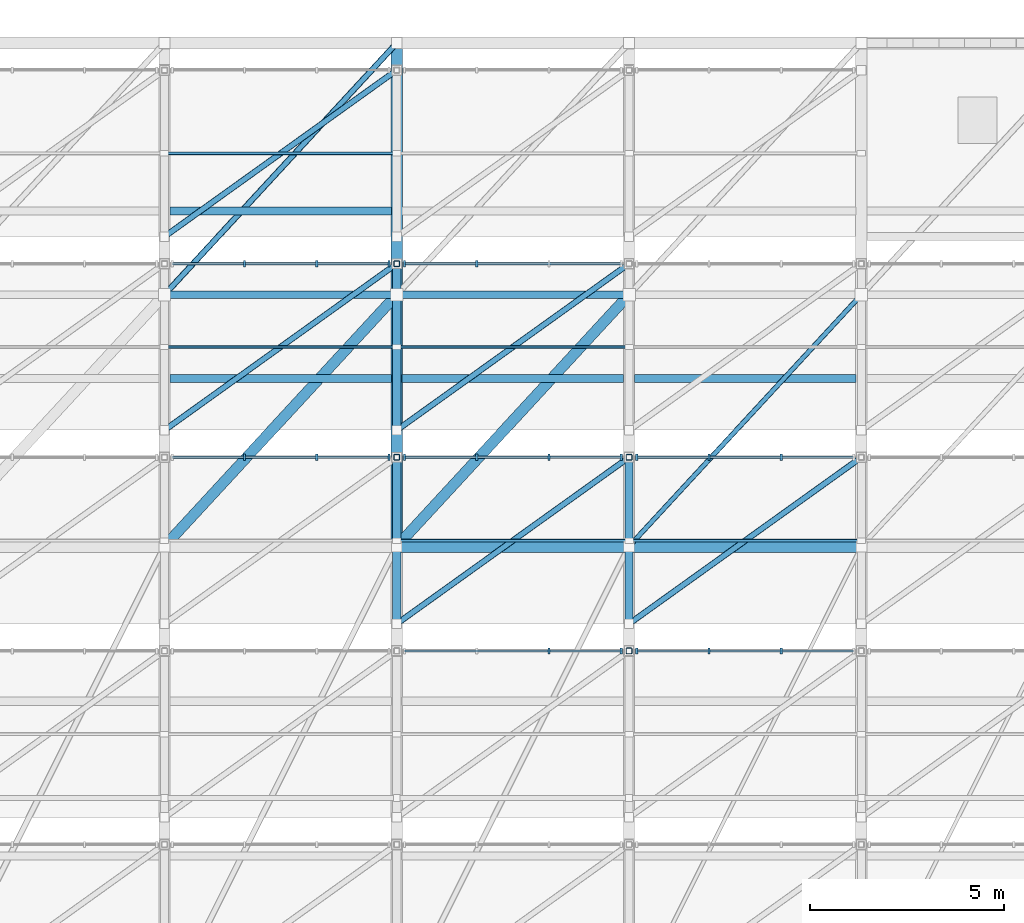
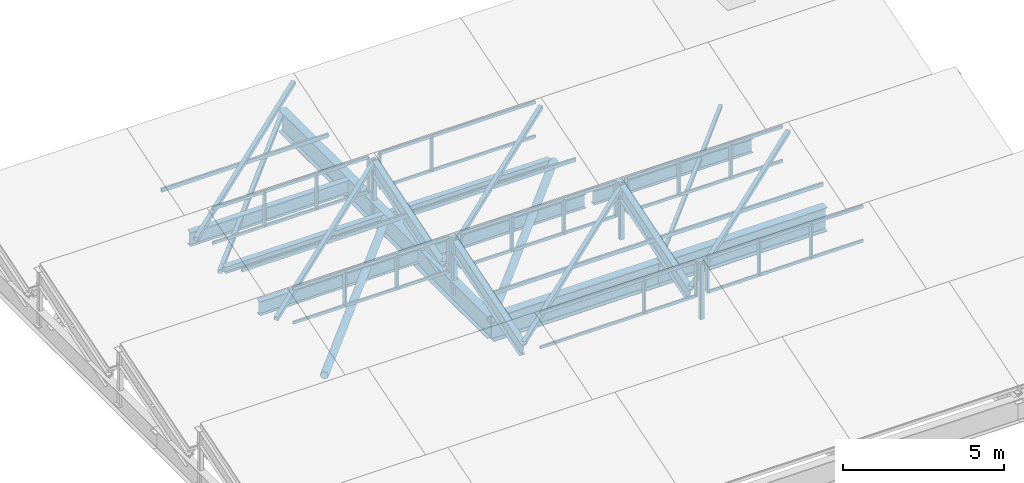
# One storey, part 14 of 48: 52 members, 12 beams, 7 elements without a shape of their own.
"""IFC4 building model written with IfcOpenShell, lengths in metres."""

from ifc_helpers import new_model, si_unit, direction, frame, origin, origin_2d, place, context, subcontext, project, spatial, rectangle, hollow_rectangle, hollow_circle, i_section, extrude, material, layer, layer_set, material_profile, profile_set, type_object, element, aggregate, save


model = new_model("IFC4")

# Units and contexts
model_context = context("Model", 3, precision=1e-05, world=origin(), true_north=direction((0.0, 1.0)))
body_context = subcontext(model_context, "Body", "Model", "MODEL_VIEW")
ifc_project = project(units=[si_unit("LENGTHUNIT", "METRE"), si_unit("AREAUNIT", "SQUARE_METRE"), si_unit("VOLUMEUNIT", "CUBIC_METRE"), si_unit("PLANEANGLEUNIT", "RADIAN"), si_unit("MASSUNIT", "GRAM", prefix="KILO")], contexts=[model_context])

# Site, building, storey
site_placement = place(None, origin())
site = spatial("IfcSite", under=ifc_project, at=site_placement, CompositionType="ELEMENT")
building_placement = place(site_placement, origin())
building = spatial("IfcBuilding", under=site, at=building_placement, Name="Trellovar Central Fire Station", CompositionType="ELEMENT")
storey_placement = place(building_placement, frame((0.0, 0.0, 9.300048828125)))
storey = spatial("IfcBuildingStorey", under=building, at=storey_placement, Name="L03", CompositionType="ELEMENT", Elevation=9.300048828125)

# Beams
ifc_material_1 = material(Name="Steel ASTM A992 Grade 50", Category="steel")
ifc_material_profile_1 = material_profile(ifc_material_1, i_section(OverallWidth=0.3046875, OverallDepth=0.911865234375, WebThickness=0.015869140625, FlangeThickness=0.02392578125, FilletRadius=0.024169921875, at=origin_2d()), Name="W36X150")
ifc_profile_set_1 = profile_set([ifc_material_profile_1], Name="Steel ASTM A992 Grade 50")
beam_type_1 = type_object("IfcBeamType", Name="BM-SW1", PredefinedType="BEAM", material=ifc_profile_set_1)
for number, where, z_axis, x_axis, name in (
    (1, (117.5, 60.0, -0.635986328125), (1.0, 0.0, 0.0), (0.0, 1.0, 0.0), "L03 beam SB-1"),
    (2, (123.5, 60.0, -0.635986328125), (1.0, 0.0, 0.0), (0.0, 1.0, 0.0), "L03 beam SB-1"),
):
    element("IfcBeam", number, at=place(storey_placement, frame(where, z_axis=z_axis, x_axis=x_axis)), inside=storey, type_object=beam_type_1, Name=name, PredefinedType="BEAM", context=body_context, shape_type="SweptSolid", body=[
        extrude(i_section(OverallWidth=0.3046875, OverallDepth=0.911865234375, WebThickness=0.015869140625, FlangeThickness=0.02392578125, FilletRadius=0.024169921875, at=origin_2d()), origin(), (0.0, 0.0, 1.0), 6.0),
    ])
ifc_material_2 = material(Name="Steel ASTM A992 Grade 50", Category="steel")
ifc_material_profile_2 = material_profile(ifc_material_2, i_section(OverallWidth=0.202880859375, OverallDepth=0.251953125, WebThickness=0.008056640625, FlangeThickness=0.013427734375, FilletRadius=0.0126953125, at=origin_2d()), Name="W10X39")
ifc_profile_set_2 = profile_set([ifc_material_profile_2], Name="Steel ASTM A992 Grade 50")
beam_type_2 = type_object("IfcBeamType", Name="BM-SW13", PredefinedType="SPANDREL", material=ifc_profile_set_2)
for number, where, z_axis, x_axis, name in (
    (3, (111.64599609375, 66.5, -0.30615234375), (1.0, 0.0, 0.0), (0.0, 1.0, 0.0), "V6 roof spine spandrel"),
    (4, (117.64599609375, 66.5, -0.30615234375), (1.0, 0.0, 0.0), (0.0, 1.0, 0.0), "V6 roof spine spandrel"),
):
    element("IfcBeam", number, at=place(storey_placement, frame(where, z_axis=z_axis, x_axis=x_axis)), inside=storey, type_object=beam_type_2, Name=name, PredefinedType="SPANDREL", context=body_context, shape_type="SweptSolid", body=[
        extrude(i_section(OverallWidth=0.202880859375, OverallDepth=0.251953125, WebThickness=0.008056640625, FlangeThickness=0.013427734375, FilletRadius=0.0126953125, at=origin_2d()), origin(), (0.0, 0.0, 1.0), 5.7080078125),
    ])
ifc_material_3 = material(Name="Steel ASTM A992 Grade 50", Category="steel")
ifc_material_profile_3 = material_profile(ifc_material_3, i_section(OverallWidth=0.2919921875, OverallDepth=0.8408203125, WebThickness=0.0146484375, FlangeThickness=0.021728515625, FilletRadius=0.020263671875, at=origin_2d()), Name="W33X130")
ifc_profile_set_3 = profile_set([ifc_material_profile_3], Name="Steel ASTM A992 Grade 50")
beam_type_3 = type_object("IfcBeamType", Name="BM-SW2", PredefinedType="BEAM", material=ifc_profile_set_3)
beam_placement = place(storey_placement, frame((117.5, 60.0, -0.600341796875), z_axis=(0.0, 1.0, 0.0), x_axis=(-1.0, 0.0, 0.0)))
element("IfcBeam", 5, at=beam_placement, inside=storey, type_object=beam_type_3, Name="L03 beam SB-2", PredefinedType="BEAM", context=body_context, shape_type="SweptSolid", body=[
    extrude(i_section(OverallWidth=0.2919921875, OverallDepth=0.8408203125, WebThickness=0.0146484375, FlangeThickness=0.021728515625, FilletRadius=0.020263671875, at=origin_2d()), origin(), (0.0, 0.0, 1.0), 13.0),
])
ifc_material_4 = material(Name="Steel ASTM A992 Grade 50", Category="steel")
ifc_material_profile_4 = material_profile(ifc_material_4, i_section(OverallWidth=0.209228515625, OverallDepth=0.533447265625, WebThickness=0.01025390625, FlangeThickness=0.015625, FilletRadius=0.013916015625, at=origin_2d()), Name="W21X62")
ifc_profile_set_4 = profile_set([ifc_material_profile_4], Name="Steel ASTM A992 Grade 50")
beam_type_4 = type_object("IfcBeamType", Name="BM-SW7", PredefinedType="BEAM", material=ifc_profile_set_4)
for number, where, z_axis, x_axis, name in (
    (6, (111.64111328125, 64.333251953125, -0.44677734375), (1.0, 0.0, 0.0), (0.0, 1.0, 0.0), "L03 beam SB-7"),
    (7, (111.64111328125, 68.666748046875, -0.44677734375), (1.0, 0.0, 0.0), (0.0, 1.0, 0.0), "L03 beam SB-7"),
    (8, (117.64111328125, 64.333251953125, -0.44677734375), (1.0, 0.0, 0.0), (0.0, 1.0, 0.0), "L03 beam SB-7"),
    (9, (123.64111328125, 64.333251953125, -0.44677734375), (1.0, 0.0, 0.0), (0.0, 1.0, 0.0), "L03 beam SB-7"),
):
    element("IfcBeam", number, at=place(storey_placement, frame(where, z_axis=z_axis, x_axis=x_axis)), inside=storey, type_object=beam_type_4, Name=name, PredefinedType="BEAM", context=body_context, shape_type="SweptSolid", body=[
        extrude(i_section(OverallWidth=0.209228515625, OverallDepth=0.533447265625, WebThickness=0.01025390625, FlangeThickness=0.015625, FilletRadius=0.013916015625, at=origin_2d()), origin(), (0.0, 0.0, 1.0), 5.7177734375),
    ])
for number, where, z_axis, x_axis, name in (
    (10, (117.5, 58.0, -0.266845703125), (0.0, 0.954079117135, 0.299554733308), (-1.0, 0.0, 0.0), "Sawtooth steel rafter"),
    (11, (123.5, 58.0, -0.266845703125), (0.0, 0.954079117135, 0.299554733308), (-1.0, 0.0, 0.0), "Sawtooth steel rafter"),
    (12, (117.5, 63.0, -0.266845703125), (0.0, 0.954079117135, 0.299554733308), (-1.0, 0.0, 0.0), "Sawtooth steel rafter"),
):
    element("IfcBeam", number, at=place(storey_placement, frame(where, z_axis=z_axis, x_axis=x_axis)), inside=storey, type_object=beam_type_4, Name=name, PredefinedType="BEAM", context=body_context, shape_type="SweptSolid", body=[
        extrude(i_section(OverallWidth=0.209228515625, OverallDepth=0.533447265625, WebThickness=0.01025390625, FlangeThickness=0.015625, FilletRadius=0.013916015625, at=origin_2d()), origin(), (0.0, 0.0, 1.0), 4.507080078125),
    ])

# Curtain wall, members
ifc_material_5 = material(Name="Thermally broken bronze anodized aluminum", Category="aluminium")
ifc_layer = layer(ifc_material_5, 0.159912109375)
ifc_layer_set = layer_set([ifc_layer], Name="Thermally broken bronze anodized aluminum")
curtain_wall_type = type_object("IfcCurtainWallType", Name="CW-06", PredefinedType="NOTDEFINED", material=ifc_layer_set)
curtain_wall_1_placement = place(storey_placement, origin())
curtain_wall_1 = element("IfcCurtainWall", 13, at=curtain_wall_1_placement, inside=storey, type_object=curtain_wall_type, Name="V6 sawtooth north-light monitor 3-2", PredefinedType="NOTDEFINED")
ifc_material_6 = material(Name="Thermally broken bronze anodized aluminum", Category="aluminium")
ifc_material_profile_5 = material_profile(ifc_material_6, rectangle(XDim=0.06005859375, YDim=0.159912109375, at=origin_2d()), Name="ALU60X160")
ifc_profile_set_5 = profile_set([ifc_material_profile_5], Name="Thermally broken bronze anodized aluminum")
member_type_1 = type_object("IfcMemberType", Name="CWM-3", PredefinedType="MULLION", material=ifc_profile_set_5)
member_1_placement = place(storey_placement, frame((117.300048828125, 62.300048828125, 0.179931640625), z_axis=(0.0, 0.0, 1.0), x_axis=(1.0, 0.0, 0.0)))
member_1 = element("IfcMember", 14, at=member_1_placement, type_object=member_type_1, Name="CW3-L03-0117 mullion 1", PredefinedType="MULLION", context=body_context, shape_type="SweptSolid", body=[
    extrude(rectangle(XDim=0.06005859375, YDim=0.159912109375, at=origin_2d()), origin(), (0.0, 0.0, 1.0), 1.300048828125),
])
member_2_placement = place(storey_placement, frame((115.433349609375, 62.300048828125, 0.179931640625), z_axis=(0.0, 0.0, 1.0), x_axis=(1.0, 0.0, 0.0)))
member_2 = element("IfcMember", 15, at=member_2_placement, type_object=member_type_1, Name="CW3-L03-0117 mullion 2", PredefinedType="MULLION", context=body_context, shape_type="SweptSolid", body=[
    extrude(rectangle(XDim=0.06005859375, YDim=0.159912109375, at=origin_2d()), origin(), (0.0, 0.0, 1.0), 1.300048828125),
])
member_3_placement = place(storey_placement, frame((113.566650390625, 62.300048828125, 0.179931640625), z_axis=(0.0, 0.0, 1.0), x_axis=(1.0, 0.0, 0.0)))
member_3 = element("IfcMember", 16, at=member_3_placement, type_object=member_type_1, Name="CW3-L03-0117 mullion 3", PredefinedType="MULLION", context=body_context, shape_type="SweptSolid", body=[
    extrude(rectangle(XDim=0.06005859375, YDim=0.159912109375, at=origin_2d()), origin(), (0.0, 0.0, 1.0), 1.300048828125),
])

curtain_wall_2_placement = place(storey_placement, origin())
curtain_wall_2 = element("IfcCurtainWall", 17, at=curtain_wall_2_placement, inside=storey, type_object=curtain_wall_type, Name="V6 sawtooth north-light monitor 4-2", PredefinedType="NOTDEFINED")
member_4_placement = place(storey_placement, frame((117.300048828125, 67.300048828125, 0.179931640625), z_axis=(0.0, 0.0, 1.0), x_axis=(1.0, 0.0, 0.0)))
member_4 = element("IfcMember", 18, at=member_4_placement, type_object=member_type_1, Name="CW3-L03-0118 mullion 1", PredefinedType="MULLION", context=body_context, shape_type="SweptSolid", body=[
    extrude(rectangle(XDim=0.06005859375, YDim=0.159912109375, at=origin_2d()), origin(), (0.0, 0.0, 1.0), 1.300048828125),
])
member_5_placement = place(storey_placement, frame((115.433349609375, 67.300048828125, 0.179931640625), z_axis=(0.0, 0.0, 1.0), x_axis=(1.0, 0.0, 0.0)))
member_5 = element("IfcMember", 19, at=member_5_placement, type_object=member_type_1, Name="CW3-L03-0118 mullion 2", PredefinedType="MULLION", context=body_context, shape_type="SweptSolid", body=[
    extrude(rectangle(XDim=0.06005859375, YDim=0.159912109375, at=origin_2d()), origin(), (0.0, 0.0, 1.0), 1.300048828125),
])
member_6_placement = place(storey_placement, frame((113.566650390625, 67.300048828125, 0.179931640625), z_axis=(0.0, 0.0, 1.0), x_axis=(1.0, 0.0, 0.0)))
member_6 = element("IfcMember", 20, at=member_6_placement, type_object=member_type_1, Name="CW3-L03-0118 mullion 3", PredefinedType="MULLION", context=body_context, shape_type="SweptSolid", body=[
    extrude(rectangle(XDim=0.06005859375, YDim=0.159912109375, at=origin_2d()), origin(), (0.0, 0.0, 1.0), 1.300048828125),
])

curtain_wall_3_placement = place(storey_placement, origin())
curtain_wall_3 = element("IfcCurtainWall", 21, at=curtain_wall_3_placement, inside=storey, type_object=curtain_wall_type, Name="V6 sawtooth north-light monitor 2-3", PredefinedType="NOTDEFINED")
member_7_placement = place(storey_placement, frame((123.300048828125, 57.300048828125, 0.179931640625), z_axis=(0.0, 0.0, 1.0), x_axis=(1.0, 0.0, 0.0)))
member_7 = element("IfcMember", 22, at=member_7_placement, type_object=member_type_1, Name="CW3-L03-0124 mullion 1", PredefinedType="MULLION", context=body_context, shape_type="SweptSolid", body=[
    extrude(rectangle(XDim=0.06005859375, YDim=0.159912109375, at=origin_2d()), origin(), (0.0, 0.0, 1.0), 1.300048828125),
])
member_8_placement = place(storey_placement, frame((121.433349609375, 57.300048828125, 0.179931640625), z_axis=(0.0, 0.0, 1.0), x_axis=(1.0, 0.0, 0.0)))
member_8 = element("IfcMember", 23, at=member_8_placement, type_object=member_type_1, Name="CW3-L03-0124 mullion 2", PredefinedType="MULLION", context=body_context, shape_type="SweptSolid", body=[
    extrude(rectangle(XDim=0.06005859375, YDim=0.159912109375, at=origin_2d()), origin(), (0.0, 0.0, 1.0), 1.300048828125),
])

curtain_wall_4_placement = place(storey_placement, origin())
curtain_wall_4 = element("IfcCurtainWall", 24, at=curtain_wall_4_placement, inside=storey, type_object=curtain_wall_type, Name="V6 sawtooth north-light monitor 3-3", PredefinedType="NOTDEFINED")
member_9_placement = place(storey_placement, frame((123.300048828125, 62.300048828125, 0.179931640625), z_axis=(0.0, 0.0, 1.0), x_axis=(1.0, 0.0, 0.0)))
member_9 = element("IfcMember", 25, at=member_9_placement, type_object=member_type_1, Name="CW3-L03-0125 mullion 1", PredefinedType="MULLION", context=body_context, shape_type="SweptSolid", body=[
    extrude(rectangle(XDim=0.06005859375, YDim=0.159912109375, at=origin_2d()), origin(), (0.0, 0.0, 1.0), 1.300048828125),
])
member_10_placement = place(storey_placement, frame((121.433349609375, 62.300048828125, 0.179931640625), z_axis=(0.0, 0.0, 1.0), x_axis=(1.0, 0.0, 0.0)))
member_10 = element("IfcMember", 26, at=member_10_placement, type_object=member_type_1, Name="CW3-L03-0125 mullion 2", PredefinedType="MULLION", context=body_context, shape_type="SweptSolid", body=[
    extrude(rectangle(XDim=0.06005859375, YDim=0.159912109375, at=origin_2d()), origin(), (0.0, 0.0, 1.0), 1.300048828125),
])
member_11_placement = place(storey_placement, frame((119.566650390625, 62.300048828125, 0.179931640625), z_axis=(0.0, 0.0, 1.0), x_axis=(1.0, 0.0, 0.0)))
member_11 = element("IfcMember", 27, at=member_11_placement, type_object=member_type_1, Name="CW3-L03-0125 mullion 3", PredefinedType="MULLION", context=body_context, shape_type="SweptSolid", body=[
    extrude(rectangle(XDim=0.06005859375, YDim=0.159912109375, at=origin_2d()), origin(), (0.0, 0.0, 1.0), 1.300048828125),
])
member_12_placement = place(storey_placement, frame((117.699951171875, 62.300048828125, 0.179931640625), z_axis=(0.0, 0.0, 1.0), x_axis=(1.0, 0.0, 0.0)))
member_12 = element("IfcMember", 28, at=member_12_placement, type_object=member_type_1, Name="CW3-L03-0125 mullion 4", PredefinedType="MULLION", context=body_context, shape_type="SweptSolid", body=[
    extrude(rectangle(XDim=0.06005859375, YDim=0.159912109375, at=origin_2d()), origin(), (0.0, 0.0, 1.0), 1.300048828125),
])

curtain_wall_5_placement = place(storey_placement, origin())
curtain_wall_5 = element("IfcCurtainWall", 29, at=curtain_wall_5_placement, inside=storey, type_object=curtain_wall_type, Name="V6 sawtooth north-light monitor 4-3", PredefinedType="NOTDEFINED")
member_13_placement = place(storey_placement, frame((119.566650390625, 67.300048828125, 0.179931640625), z_axis=(0.0, 0.0, 1.0), x_axis=(1.0, 0.0, 0.0)))
member_13 = element("IfcMember", 30, at=member_13_placement, type_object=member_type_1, Name="CW3-L03-0126 mullion 3", PredefinedType="MULLION", context=body_context, shape_type="SweptSolid", body=[
    extrude(rectangle(XDim=0.06005859375, YDim=0.159912109375, at=origin_2d()), origin(), (0.0, 0.0, 1.0), 1.300048828125),
])
member_14_placement = place(storey_placement, frame((117.699951171875, 67.300048828125, 0.179931640625), z_axis=(0.0, 0.0, 1.0), x_axis=(1.0, 0.0, 0.0)))
member_14 = element("IfcMember", 31, at=member_14_placement, type_object=member_type_1, Name="CW3-L03-0126 mullion 4", PredefinedType="MULLION", context=body_context, shape_type="SweptSolid", body=[
    extrude(rectangle(XDim=0.06005859375, YDim=0.159912109375, at=origin_2d()), origin(), (0.0, 0.0, 1.0), 1.300048828125),
])

curtain_wall_6_placement = place(storey_placement, origin())
curtain_wall_6 = element("IfcCurtainWall", 32, at=curtain_wall_6_placement, inside=storey, type_object=curtain_wall_type, Name="V6 sawtooth north-light monitor 2-4", PredefinedType="NOTDEFINED")
member_15_placement = place(storey_placement, frame((127.433349609375, 57.300048828125, 0.179931640625), z_axis=(0.0, 0.0, 1.0), x_axis=(1.0, 0.0, 0.0)))
member_15 = element("IfcMember", 33, at=member_15_placement, type_object=member_type_1, Name="CW3-L03-0132 mullion 2", PredefinedType="MULLION", context=body_context, shape_type="SweptSolid", body=[
    extrude(rectangle(XDim=0.06005859375, YDim=0.159912109375, at=origin_2d()), origin(), (0.0, 0.0, 1.0), 1.300048828125),
])
member_16_placement = place(storey_placement, frame((125.566650390625, 57.300048828125, 0.179931640625), z_axis=(0.0, 0.0, 1.0), x_axis=(1.0, 0.0, 0.0)))
member_16 = element("IfcMember", 34, at=member_16_placement, type_object=member_type_1, Name="CW3-L03-0132 mullion 3", PredefinedType="MULLION", context=body_context, shape_type="SweptSolid", body=[
    extrude(rectangle(XDim=0.06005859375, YDim=0.159912109375, at=origin_2d()), origin(), (0.0, 0.0, 1.0), 1.300048828125),
])
member_17_placement = place(storey_placement, frame((123.699951171875, 57.300048828125, 0.179931640625), z_axis=(0.0, 0.0, 1.0), x_axis=(1.0, 0.0, 0.0)))
member_17 = element("IfcMember", 35, at=member_17_placement, type_object=member_type_1, Name="CW3-L03-0132 mullion 4", PredefinedType="MULLION", context=body_context, shape_type="SweptSolid", body=[
    extrude(rectangle(XDim=0.06005859375, YDim=0.159912109375, at=origin_2d()), origin(), (0.0, 0.0, 1.0), 1.300048828125),
])

curtain_wall_7_placement = place(storey_placement, origin())
curtain_wall_7 = element("IfcCurtainWall", 36, at=curtain_wall_7_placement, inside=storey, type_object=curtain_wall_type, Name="V6 sawtooth north-light monitor 3-4", PredefinedType="NOTDEFINED")
member_18_placement = place(storey_placement, frame((127.433349609375, 62.300048828125, 0.179931640625), z_axis=(0.0, 0.0, 1.0), x_axis=(1.0, 0.0, 0.0)))
member_18 = element("IfcMember", 37, at=member_18_placement, type_object=member_type_1, Name="CW3-L03-0133 mullion 2", PredefinedType="MULLION", context=body_context, shape_type="SweptSolid", body=[
    extrude(rectangle(XDim=0.06005859375, YDim=0.159912109375, at=origin_2d()), origin(), (0.0, 0.0, 1.0), 1.300048828125),
])
member_19_placement = place(storey_placement, frame((125.566650390625, 62.300048828125, 0.179931640625), z_axis=(0.0, 0.0, 1.0), x_axis=(1.0, 0.0, 0.0)))
member_19 = element("IfcMember", 38, at=member_19_placement, type_object=member_type_1, Name="CW3-L03-0133 mullion 3", PredefinedType="MULLION", context=body_context, shape_type="SweptSolid", body=[
    extrude(rectangle(XDim=0.06005859375, YDim=0.159912109375, at=origin_2d()), origin(), (0.0, 0.0, 1.0), 1.300048828125),
])
member_20_placement = place(storey_placement, frame((123.699951171875, 62.300048828125, 0.179931640625), z_axis=(0.0, 0.0, 1.0), x_axis=(1.0, 0.0, 0.0)))
member_20 = element("IfcMember", 39, at=member_20_placement, type_object=member_type_1, Name="CW3-L03-0133 mullion 4", PredefinedType="MULLION", context=body_context, shape_type="SweptSolid", body=[
    extrude(rectangle(XDim=0.06005859375, YDim=0.159912109375, at=origin_2d()), origin(), (0.0, 0.0, 1.0), 1.300048828125),
])

# Member
ifc_material_7 = material(Name="Thermally broken bronze anodized aluminum", Category="aluminium")
ifc_material_profile_6 = material_profile(ifc_material_7, rectangle(XDim=0.054931640625, YDim=0.110107421875, at=origin_2d()), Name="ALU55X110")
ifc_profile_set_6 = profile_set([ifc_material_profile_6], Name="Thermally broken bronze anodized aluminum")
member_type_2 = type_object("IfcMemberType", Name="CWT-3", PredefinedType="USERDEFINED", material=ifc_profile_set_6)
member_21_placement = place(storey_placement, frame((117.300048828125, 62.300048828125, 0.179931640625), z_axis=(-1.0, 0.0, 0.0), x_axis=(0.0, -1.0, 0.0)))
member_21 = element("IfcMember", 40, at=member_21_placement, type_object=member_type_2, Name="CW3-L03-0117 transom 1", ObjectType="TRANSOM", PredefinedType="USERDEFINED", context=body_context, shape_type="SweptSolid", body=[
    extrude(rectangle(XDim=0.054931640625, YDim=0.110107421875, at=origin_2d()), origin(), (0.0, 0.0, 1.0), 5.60009765625),
])

member_22_placement = place(storey_placement, frame((117.300048828125, 62.300048828125, 1.47998046875), z_axis=(-1.0, 0.0, 0.0), x_axis=(0.0, -1.0, 0.0)))
member_22 = element("IfcMember", 41, at=member_22_placement, type_object=member_type_2, Name="CW3-L03-0117 transom 2", ObjectType="TRANSOM", PredefinedType="USERDEFINED", context=body_context, shape_type="SweptSolid", body=[
    extrude(rectangle(XDim=0.054931640625, YDim=0.110107421875, at=origin_2d()), origin(), (0.0, 0.0, 1.0), 5.60009765625),
])

aggregate(curtain_wall_1, [member_1, member_2, member_3, member_21, member_22])

member_23_placement = place(storey_placement, frame((117.300048828125, 67.300048828125, 0.179931640625), z_axis=(-1.0, 0.0, 0.0), x_axis=(0.0, -1.0, 0.0)))
member_23 = element("IfcMember", 42, at=member_23_placement, type_object=member_type_2, Name="CW3-L03-0118 transom 1", ObjectType="TRANSOM", PredefinedType="USERDEFINED", context=body_context, shape_type="SweptSolid", body=[
    extrude(rectangle(XDim=0.054931640625, YDim=0.110107421875, at=origin_2d()), origin(), (0.0, 0.0, 1.0), 5.60009765625),
])

member_24_placement = place(storey_placement, frame((117.300048828125, 67.300048828125, 1.47998046875), z_axis=(-1.0, 0.0, 0.0), x_axis=(0.0, -1.0, 0.0)))
member_24 = element("IfcMember", 43, at=member_24_placement, type_object=member_type_2, Name="CW3-L03-0118 transom 2", ObjectType="TRANSOM", PredefinedType="USERDEFINED", context=body_context, shape_type="SweptSolid", body=[
    extrude(rectangle(XDim=0.054931640625, YDim=0.110107421875, at=origin_2d()), origin(), (0.0, 0.0, 1.0), 5.60009765625),
])

aggregate(curtain_wall_2, [member_4, member_5, member_6, member_23, member_24])

member_25_placement = place(storey_placement, frame((123.300048828125, 57.300048828125, 0.179931640625), z_axis=(-1.0, 0.0, 0.0), x_axis=(0.0, -1.0, 0.0)))
member_25 = element("IfcMember", 44, at=member_25_placement, type_object=member_type_2, Name="CW3-L03-0124 transom 1", ObjectType="TRANSOM", PredefinedType="USERDEFINED", context=body_context, shape_type="SweptSolid", body=[
    extrude(rectangle(XDim=0.054931640625, YDim=0.110107421875, at=origin_2d()), origin(), (0.0, 0.0, 1.0), 5.60009765625),
])

member_26_placement = place(storey_placement, frame((123.300048828125, 57.300048828125, 1.47998046875), z_axis=(-1.0, 0.0, 0.0), x_axis=(0.0, -1.0, 0.0)))
member_26 = element("IfcMember", 45, at=member_26_placement, type_object=member_type_2, Name="CW3-L03-0124 transom 2", ObjectType="TRANSOM", PredefinedType="USERDEFINED", context=body_context, shape_type="SweptSolid", body=[
    extrude(rectangle(XDim=0.054931640625, YDim=0.110107421875, at=origin_2d()), origin(), (0.0, 0.0, 1.0), 5.60009765625),
])

aggregate(curtain_wall_3, [member_7, member_8, member_25, member_26])

member_27_placement = place(storey_placement, frame((123.300048828125, 62.300048828125, 0.179931640625), z_axis=(-1.0, 0.0, 0.0), x_axis=(0.0, -1.0, 0.0)))
member_27 = element("IfcMember", 46, at=member_27_placement, type_object=member_type_2, Name="CW3-L03-0125 transom 1", ObjectType="TRANSOM", PredefinedType="USERDEFINED", context=body_context, shape_type="SweptSolid", body=[
    extrude(rectangle(XDim=0.054931640625, YDim=0.110107421875, at=origin_2d()), origin(), (0.0, 0.0, 1.0), 5.60009765625),
])

member_28_placement = place(storey_placement, frame((123.300048828125, 62.300048828125, 1.47998046875), z_axis=(-1.0, 0.0, 0.0), x_axis=(0.0, -1.0, 0.0)))
member_28 = element("IfcMember", 47, at=member_28_placement, type_object=member_type_2, Name="CW3-L03-0125 transom 2", ObjectType="TRANSOM", PredefinedType="USERDEFINED", context=body_context, shape_type="SweptSolid", body=[
    extrude(rectangle(XDim=0.054931640625, YDim=0.110107421875, at=origin_2d()), origin(), (0.0, 0.0, 1.0), 5.60009765625),
])

aggregate(curtain_wall_4, [member_9, member_10, member_11, member_12, member_27, member_28])

member_29_placement = place(storey_placement, frame((123.300048828125, 67.300048828125, 0.179931640625), z_axis=(-1.0, 0.0, 0.0), x_axis=(0.0, -1.0, 0.0)))
member_29 = element("IfcMember", 48, at=member_29_placement, type_object=member_type_2, Name="CW3-L03-0126 transom 1", ObjectType="TRANSOM", PredefinedType="USERDEFINED", context=body_context, shape_type="SweptSolid", body=[
    extrude(rectangle(XDim=0.054931640625, YDim=0.110107421875, at=origin_2d()), origin(), (0.0, 0.0, 1.0), 5.60009765625),
])

member_30_placement = place(storey_placement, frame((123.300048828125, 67.300048828125, 1.47998046875), z_axis=(-1.0, 0.0, 0.0), x_axis=(0.0, -1.0, 0.0)))
member_30 = element("IfcMember", 49, at=member_30_placement, type_object=member_type_2, Name="CW3-L03-0126 transom 2", ObjectType="TRANSOM", PredefinedType="USERDEFINED", context=body_context, shape_type="SweptSolid", body=[
    extrude(rectangle(XDim=0.054931640625, YDim=0.110107421875, at=origin_2d()), origin(), (0.0, 0.0, 1.0), 5.60009765625),
])

aggregate(curtain_wall_5, [member_13, member_14, member_29, member_30])

member_31_placement = place(storey_placement, frame((129.300048828125, 57.300048828125, 0.179931640625), z_axis=(-1.0, 0.0, 0.0), x_axis=(0.0, -1.0, 0.0)))
member_31 = element("IfcMember", 50, at=member_31_placement, type_object=member_type_2, Name="CW3-L03-0132 transom 1", ObjectType="TRANSOM", PredefinedType="USERDEFINED", context=body_context, shape_type="SweptSolid", body=[
    extrude(rectangle(XDim=0.054931640625, YDim=0.110107421875, at=origin_2d()), origin(), (0.0, 0.0, 1.0), 5.60009765625),
])

member_32_placement = place(storey_placement, frame((129.300048828125, 57.300048828125, 1.47998046875), z_axis=(-1.0, 0.0, 0.0), x_axis=(0.0, -1.0, 0.0)))
member_32 = element("IfcMember", 51, at=member_32_placement, type_object=member_type_2, Name="CW3-L03-0132 transom 2", ObjectType="TRANSOM", PredefinedType="USERDEFINED", context=body_context, shape_type="SweptSolid", body=[
    extrude(rectangle(XDim=0.054931640625, YDim=0.110107421875, at=origin_2d()), origin(), (0.0, 0.0, 1.0), 5.60009765625),
])

aggregate(curtain_wall_6, [member_15, member_16, member_17, member_31, member_32])

member_33_placement = place(storey_placement, frame((129.300048828125, 62.300048828125, 0.179931640625), z_axis=(-1.0, 0.0, 0.0), x_axis=(0.0, -1.0, 0.0)))
member_33 = element("IfcMember", 52, at=member_33_placement, type_object=member_type_2, Name="CW3-L03-0133 transom 1", ObjectType="TRANSOM", PredefinedType="USERDEFINED", context=body_context, shape_type="SweptSolid", body=[
    extrude(rectangle(XDim=0.054931640625, YDim=0.110107421875, at=origin_2d()), origin(), (0.0, 0.0, 1.0), 5.60009765625),
])

member_34_placement = place(storey_placement, frame((129.300048828125, 62.300048828125, 1.47998046875), z_axis=(-1.0, 0.0, 0.0), x_axis=(0.0, -1.0, 0.0)))
member_34 = element("IfcMember", 53, at=member_34_placement, type_object=member_type_2, Name="CW3-L03-0133 transom 2", ObjectType="TRANSOM", PredefinedType="USERDEFINED", context=body_context, shape_type="SweptSolid", body=[
    extrude(rectangle(XDim=0.054931640625, YDim=0.110107421875, at=origin_2d()), origin(), (0.0, 0.0, 1.0), 5.60009765625),
])

aggregate(curtain_wall_7, [member_18, member_19, member_20, member_33, member_34])

# Members
ifc_material_8 = material(Name="Steel ASTM A500 Grade C", Category="steel")
ifc_material_profile_7 = material_profile(ifc_material_8, hollow_rectangle(XDim=0.15234375, YDim=0.15234375, WallThickness=0.005859375, InnerFilletRadius=0.005859375, OuterFilletRadius=0.01171875, at=origin_2d()), Name="HSS6X6X1/4")
ifc_profile_set_7 = profile_set([ifc_material_profile_7], Name="Steel ASTM A500 Grade C")
member_type_3 = type_object("IfcMemberType", Name="MEM-BR1", PredefinedType="BRACE", material=ifc_profile_set_7)
for number, where, z_axis, x_axis, name in (
    (54, (117.5, 58.0, -0.02001953125), (0.801405151762, 0.574346880614, 0.166959406617), (-0.582523311563, 0.812813995626, 0.0), "Sawtooth roof plane diagonal brace"),
    (55, (123.5, 58.0, -0.02001953125), (0.801405151762, 0.574346880614, 0.166959406617), (-0.582523311563, 0.812813995626, 0.0), "Sawtooth roof plane diagonal brace"),
    (56, (111.5, 63.0, -0.02001953125), (0.801405151762, 0.574346880614, 0.166959406617), (-0.582523311563, 0.812813995626, 0.0), "Sawtooth roof plane diagonal brace"),
    (57, (117.5, 63.0, -0.02001953125), (0.801405151762, 0.574346880614, 0.166959406617), (-0.582523311563, 0.812813995626, 0.0), "Sawtooth roof plane diagonal brace"),
    (58, (111.5, 68.0, -0.02001953125), (0.801405151762, 0.574346880614, 0.166959406617), (-0.582523311563, 0.812813995626, 0.0), "Sawtooth roof plane diagonal brace"),
):
    element("IfcMember", number, at=place(storey_placement, frame(where, z_axis=z_axis, x_axis=x_axis)), inside=storey, type_object=member_type_3, Name=name, PredefinedType="BRACE", context=body_context, shape_type="SweptSolid", body=[
        extrude(hollow_rectangle(XDim=0.15234375, YDim=0.15234375, WallThickness=0.005859375, InnerFilletRadius=0.005859375, OuterFilletRadius=0.01171875, at=origin_2d()), origin(), (0.0, 0.0, 1.0), 7.48681640625),
    ])
ifc_material_9 = material(Name="Steel ASTM A500 Grade C", Category="steel")
ifc_material_profile_8 = material_profile(ifc_material_9, hollow_rectangle(XDim=0.126953125, YDim=0.126953125, WallThickness=0.005859375, InnerFilletRadius=0.005859375, OuterFilletRadius=0.01171875, at=origin_2d()), Name="HSS5X5X1/4")
ifc_profile_set_8 = profile_set([ifc_material_profile_8], Name="Steel ASTM A500 Grade C")
member_type_4 = type_object("IfcMemberType", Name="MEM-BR2", PredefinedType="BRACE", material=ifc_profile_set_8)
member_35_placement = place(storey_placement, frame((123.5, 60.0, -0.35009765625), z_axis=(0.678280102733, 0.734803444627, 0.0), x_axis=(-0.734803444627, 0.678280102733, 0.0)))
element("IfcMember", 59, at=member_35_placement, inside=storey, type_object=member_type_4, Name="V6 roof diaphragm brace", PredefinedType="BRACE", context=body_context, shape_type="SweptSolid", body=[
    extrude(hollow_rectangle(XDim=0.126953125, YDim=0.126953125, WallThickness=0.005859375, InnerFilletRadius=0.005859375, OuterFilletRadius=0.01171875, at=origin_2d()), origin(), (0.0, 0.0, 1.0), 8.845947265625),
])
ifc_material_10 = material(Name="Steel ASTM A500 Grade C", Category="steel")
ifc_material_profile_9 = material_profile(ifc_material_10, hollow_circle(Radius=0.136474609375, WallThickness=0.01171875, at=origin_2d()), Name="HSS10.750X0.500")
ifc_profile_set_9 = profile_set([ifc_material_profile_9], Name="Steel ASTM A500 Grade C")
member_type_5 = type_object("IfcMemberType", Name="MEM-BR4", PredefinedType="BRACE", material=ifc_profile_set_9)
for number, where, z_axis, x_axis, name in (
    (60, (111.5, 60.0, -0.35009765625), (0.678280102733, 0.734803444627, 0.0), (-0.734803444627, 0.678280102733, 0.0), "V6 roof diaphragm brace"),
    (61, (117.5, 60.0, -0.35009765625), (0.678280102733, 0.734803444627, 0.0), (-0.734803444627, 0.678280102733, 0.0), "V6 roof diaphragm brace"),
):
    element("IfcMember", number, at=place(storey_placement, frame(where, z_axis=z_axis, x_axis=x_axis)), inside=storey, type_object=member_type_5, Name=name, PredefinedType="BRACE", context=body_context, shape_type="SweptSolid", body=[
        extrude(hollow_circle(Radius=0.136474609375, WallThickness=0.01171875, at=origin_2d()), origin(), (0.0, 0.0, 1.0), 8.845947265625),
    ])
ifc_material_11 = material(Name="Steel ASTM A500 Grade C", Category="steel")
ifc_material_profile_10 = material_profile(ifc_material_11, hollow_rectangle(XDim=0.15234375, YDim=0.15234375, WallThickness=0.0087890625, InnerFilletRadius=0.0087890625, OuterFilletRadius=0.017822265625, at=origin_2d()), Name="HSS6X6X3/8")
ifc_profile_set_10 = profile_set([ifc_material_profile_10], Name="Steel ASTM A500 Grade C")
member_type_6 = type_object("IfcMemberType", Name="MEM-CH2", PredefinedType="CHORD", material=ifc_profile_set_10)
member_36_placement = place(storey_placement, frame((111.5, 66.5, -0.35009765625), z_axis=(0.678280102733, 0.734803444627, 0.0), x_axis=(-0.734803444627, 0.678280102733, 0.0)))
element("IfcMember", 62, at=member_36_placement, inside=storey, type_object=member_type_6, Name="V6 roof diaphragm chord", PredefinedType="CHORD", context=body_context, shape_type="SweptSolid", body=[
    extrude(hollow_rectangle(XDim=0.15234375, YDim=0.15234375, WallThickness=0.0087890625, InnerFilletRadius=0.0087890625, OuterFilletRadius=0.017822265625, at=origin_2d()), origin(), (0.0, 0.0, 1.0), 8.845947265625),
])
ifc_material_12 = material(Name="Steel ASTM A500 Grade C", Category="steel")
ifc_material_profile_11 = material_profile(ifc_material_12, hollow_rectangle(XDim=0.076171875, YDim=0.15234375, WallThickness=0.005859375, InnerFilletRadius=0.005859375, OuterFilletRadius=0.01171875, at=origin_2d()), Name="HSS6X3X1/4")
ifc_profile_set_11 = profile_set([ifc_material_profile_11], Name="Steel ASTM A500 Grade C")
member_type_7 = type_object("IfcMemberType", Name="MEM-PU2", PredefinedType="PURLIN", material=ifc_profile_set_11)
for number, where, z_axis, x_axis, name in (
    (63, (117.5, 60.14990234375, 0.530029296875), (1.0, 0.0, 0.0), (0.0, 1.0, 0.0), "Sawtooth steel purlin"),
    (64, (123.5, 60.14990234375, 0.530029296875), (1.0, 0.0, 0.0), (0.0, 1.0, 0.0), "Sawtooth steel purlin"),
    (65, (111.5, 65.14990234375, 0.530029296875), (1.0, 0.0, 0.0), (0.0, 1.0, 0.0), "Sawtooth steel purlin"),
    (66, (117.5, 65.14990234375, 0.530029296875), (1.0, 0.0, 0.0), (0.0, 1.0, 0.0), "Sawtooth steel purlin"),
    (67, (111.5, 70.14990234375, 0.530029296875), (1.0, 0.0, 0.0), (0.0, 1.0, 0.0), "Sawtooth steel purlin"),
):
    element("IfcMember", number, at=place(storey_placement, frame(where, z_axis=z_axis, x_axis=x_axis)), inside=storey, type_object=member_type_7, Name=name, PredefinedType="PURLIN", context=body_context, shape_type="SweptSolid", body=[
        extrude(hollow_rectangle(XDim=0.076171875, YDim=0.15234375, WallThickness=0.005859375, InnerFilletRadius=0.005859375, OuterFilletRadius=0.01171875, at=origin_2d()), origin(), (0.0, 0.0, 1.0), 6.0),
    ])
ifc_material_13 = material(Name="Steel ASTM A500 Grade C", Category="steel")
ifc_material_profile_12 = material_profile(ifc_material_13, hollow_rectangle(XDim=0.15234375, YDim=0.15234375, WallThickness=0.0087890625, InnerFilletRadius=0.0087890625, OuterFilletRadius=0.017822265625, at=origin_2d()), Name="HSS6X6X3/8")
ifc_profile_set_12 = profile_set([ifc_material_profile_12], Name="Steel ASTM A500 Grade C")
member_type_8 = type_object("IfcMemberType", Name="MEM-ST1", PredefinedType="STRUT", material=ifc_profile_set_12)
for number, where, z_axis, x_axis, name in (
    (68, (123.5, 57.300048828125, -0.75), (0.0, 0.0, 1.0), (1.0, 0.0, 0.0), "Sawtooth monitor vertical post"),
    (69, (117.5, 62.300048828125, -0.75), (0.0, 0.0, 1.0), (1.0, 0.0, 0.0), "Sawtooth monitor vertical post"),
    (70, (123.5, 62.300048828125, -0.75), (0.0, 0.0, 1.0), (1.0, 0.0, 0.0), "Sawtooth monitor vertical post"),
    (71, (117.5, 67.300048828125, -0.75), (0.0, 0.0, 1.0), (1.0, 0.0, 0.0), "Sawtooth monitor vertical post"),
):
    element("IfcMember", number, at=place(storey_placement, frame(where, z_axis=z_axis, x_axis=x_axis)), inside=storey, type_object=member_type_8, Name=name, PredefinedType="STRUT", context=body_context, shape_type="SweptSolid", body=[
        extrude(hollow_rectangle(XDim=0.15234375, YDim=0.15234375, WallThickness=0.0087890625, InnerFilletRadius=0.0087890625, OuterFilletRadius=0.017822265625, at=origin_2d()), origin(), (0.0, 0.0, 1.0), 2.099853515625),
    ])

save(model, "model.ifc")
